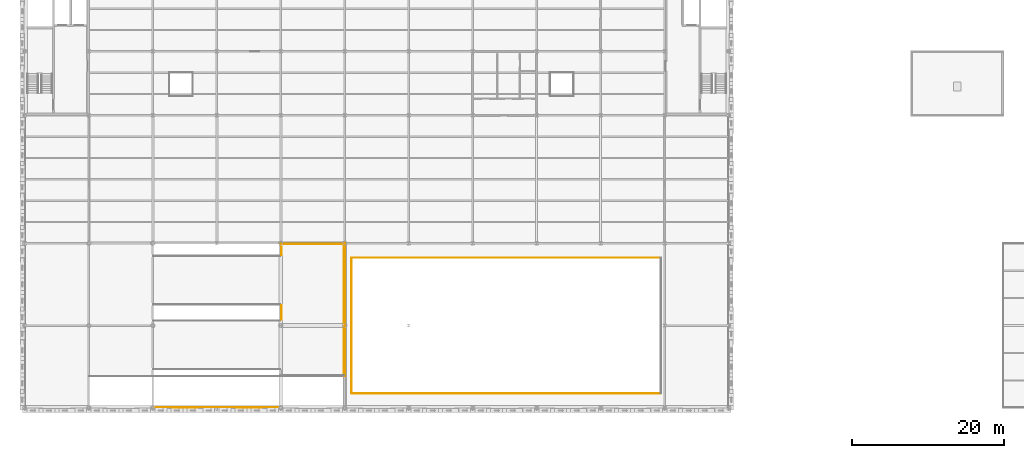
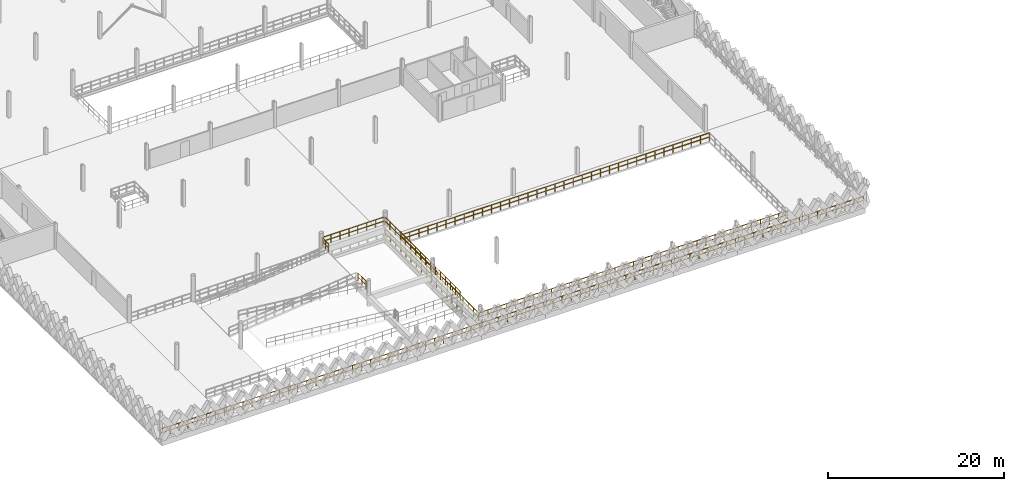
# One storey, part 55 of 62: 9 railings.
"""IFC4 building model written with IfcOpenShell, lengths in metres."""

import ifcopenshell
import ifcopenshell.guid

model = None  # the IFC model being written
_history = None  # IfcOwnerHistory: only IFC2X3 demands one
_inside = {}  # id of a spatial element -> (the spatial element, [elements in it])
_under = {}  # id of a project, library or spatial element -> (it, [spatial elements below it])
_declared = {}  # id of a project -> (the project, [libraries it declares])
_typed = {}  # id of a type object -> (the type object, [elements of that type])
_made_of = {}  # id of a material, layer set ... -> (it, [elements and type objects made of it])


def new_model(schema):
    """Start an empty IFC model of exactly this schema.

    Asked for "IFC4X3", IfcOpenShell would pick the latest addendum, in which some entities
    have other attributes; the version numbers below select the first issue.
    IFC2X3 requires an IfcOwnerHistory on every rooted entity: one is made here for all.
    """
    global model, _history
    if schema == "IFC4X3":
        model = ifcopenshell.file(schema_version=(4, 3, 0, 0))
    else:
        model = ifcopenshell.file(schema=schema)
    _inside.clear()
    _under.clear()
    _declared.clear()
    _typed.clear()
    _made_of.clear()
    _history = None
    if model.schema == "IFC2X3":
        org = make("IfcOrganization", Name="unknown")
        user = make(
            "IfcPersonAndOrganization",
            ThePerson=make("IfcPerson", FamilyName="unknown"),
            TheOrganization=org,
        )
        app = make(
            "IfcApplication",
            ApplicationDeveloper=org,
            Version="unknown",
            ApplicationFullName="unknown",
            ApplicationIdentifier="unknown",
        )
        _history = make(
            "IfcOwnerHistory",
            OwningUser=user,
            OwningApplication=app,
            ChangeAction="ADDED",
            CreationDate=0,
        )
    return model


def make(cls, **values):
    """One entity of the class cls with the attributes given. An attribute that is None is left unset."""
    return model.create_entity(
        cls, **{name: value for name, value in values.items() if value is not None}
    )


def rooted(cls, **values):
    """An entity with a GlobalId (a new one), such as an element, a storey or a relation."""
    return make(cls, GlobalId=ifcopenshell.guid.new(), OwnerHistory=_history, **values)


def si_unit(unit_type, name, prefix=None):
    """IfcSIUnit, for example si_unit("LENGTHUNIT", "METRE", prefix="MILLI")."""
    return make("IfcSIUnit", UnitType=unit_type, Prefix=prefix, Name=name)


def assignment(units):
    """IfcUnitAssignment: the units of a project."""
    return None if units is None else make("IfcUnitAssignment", Units=units)


def point(xyz):
    """IfcCartesianPoint."""
    return None if xyz is None else make("IfcCartesianPoint", Coordinates=xyz)


def direction(xyz):
    """IfcDirection."""
    return None if xyz is None else make("IfcDirection", DirectionRatios=xyz)


def frame(location, z_axis=None, x_axis=None):
    """IfcAxis2Placement3D, a coordinate frame: its origin and axes. An axis left out is left unset."""
    return make(
        "IfcAxis2Placement3D",
        Location=point(location),
        Axis=direction(z_axis),
        RefDirection=direction(x_axis),
    )


def frame_2d(location, x_axis=None):
    """IfcAxis2Placement2D, a coordinate frame in the plane: its origin and x axis."""
    return make(
        "IfcAxis2Placement2D", Location=point(location), RefDirection=direction(x_axis)
    )


def origin():
    """The frame at (0, 0, 0) with its axes left unset."""
    return frame((0.0, 0.0, 0.0))


def origin_2d():
    """The frame at (0, 0) in the plane with its x axis left unset."""
    return frame_2d((0.0, 0.0))


def place(relative_to, where):
    """IfcLocalPlacement: puts the frame where relative to a parent placement (None: the world)."""
    return make(
        "IfcLocalPlacement", PlacementRelTo=relative_to, RelativePlacement=where
    )


def context(
    kind, dimensions, precision=None, world=None, true_north=None, identifier=None
):
    """IfcGeometricRepresentationContext, for example the 3D "Model" context."""
    return make(
        "IfcGeometricRepresentationContext",
        ContextIdentifier=identifier,
        ContextType=kind,
        CoordinateSpaceDimension=dimensions,
        Precision=precision,
        WorldCoordinateSystem=world,
        TrueNorth=true_north,
    )


def subcontext(parent, identifier, kind, view, scale=None):
    """IfcGeometricRepresentationSubContext, for example "Body" below "Model"."""
    return make(
        "IfcGeometricRepresentationSubContext",
        ContextIdentifier=identifier,
        ContextType=kind,
        ParentContext=parent,
        TargetScale=scale,
        TargetView=view,
    )


def project(units=None, contexts=None):
    """IfcProject with its units and contexts."""
    return rooted(
        "IfcProject",
        Name="project",
        RepresentationContexts=contexts,
        UnitsInContext=assignment(units),
    )


def spatial(cls, under=None, at=None, **own):
    """A site, building, storey or space (cls), placed at a placement, below another one or the project."""
    s = rooted(cls, ObjectPlacement=at, **own)
    if under is not None:
        _under.setdefault(under.id(), (under, []))[1].append(s)
    return s


def profile(cls, at=None, kind="AREA", **sizes):
    """A parametric profile (cls). Its sizes go by their IFC names, for example OverallWidth=200.0."""
    return make(cls, ProfileType=kind, Position=at, **sizes)


def circle(**sizes):
    """IfcCircleProfileDef."""
    return profile("IfcCircleProfileDef", **sizes)


def extrude(swept, where, along, depth):
    """IfcExtrudedAreaSolid: the profile swept, set in the frame where, extruded along a direction by depth."""
    return make(
        "IfcExtrudedAreaSolid",
        SweptArea=swept,
        Position=where,
        ExtrudedDirection=direction(along),
        Depth=depth,
    )


def shape(context_of_items, identifier, shape_type, items):
    """IfcShapeRepresentation: the items that make up one representation, for example the "Body"."""
    return make(
        "IfcShapeRepresentation",
        ContextOfItems=context_of_items,
        RepresentationIdentifier=identifier,
        RepresentationType=shape_type,
        Items=items,
    )


def material(Name=None, Category=None):
    """IfcMaterial."""
    return make("IfcMaterial", Name=Name, Category=Category)


def made_of(thing, what):
    """Note that an element or type object is made of a material, layer set ...; save() writes the relation."""
    if what is not None:
        _made_of.setdefault(what.id(), (what, []))[1].append(thing)
    return thing


def type_object(cls, material=None, **own):
    """A type object (cls), such as IfcWallType, which elements share."""
    return made_of(rooted(cls, **own), material)


def element(
    cls,
    number,
    at=None,
    inside=None,
    cuts=None,
    type_object=None,
    material=None,
    context=None,
    identifier="Body",
    shape_type=None,
    held_by="IfcProductDefinitionShape",
    body=None,
    shapes=None,
    **own,
):
    """One element of the class cls, such as IfcWall. Its Tag is "e" and its number.

    at: its placement. inside: the storey or other place that contains it. cuts: it is an
    opening in that element (IfcRelVoidsElement). A single representation is given by context,
    identifier, shape_type and body (its items); several are given by shapes. held_by: the class
    of the entity that holds the representations. save() writes the other relations.
    """
    e = rooted(cls, Tag="e%d" % number, ObjectPlacement=at, **own)
    if body is not None:
        shapes = [shape(context, identifier, shape_type, body)]
    if shapes is not None:
        e.Representation = make(held_by, Representations=shapes)
    if inside is not None:
        _inside.setdefault(inside.id(), (inside, []))[1].append(e)
    if cuts is not None:
        rooted(
            "IfcRelVoidsElement", RelatingBuildingElement=cuts, RelatedOpeningElement=e
        )
    if type_object is not None:
        _typed.setdefault(type_object.id(), (type_object, []))[1].append(e)
    return made_of(e, material)


def aggregate(whole, parts):
    """IfcRelAggregates: a whole, such as a stair, and the parts it consists of."""
    return rooted("IfcRelAggregates", RelatingObject=whole, RelatedObjects=parts)


def save(model, path):
    """Write the relations noted so far, then the file.

    IfcRelAggregates (storeys below a building ...), IfcRelContainedInSpatialStructure (elements
    in a storey), IfcRelDefinesByType, IfcRelAssociatesMaterial and IfcRelDeclares: one each for
    every whole, place, type object, material and project.
    """
    for whole, parts in _under.values():
        aggregate(whole, parts)
    for where, things in _inside.values():
        rooted(
            "IfcRelContainedInSpatialStructure",
            RelatedElements=things,
            RelatingStructure=where,
        )
    for kind, things in _typed.values():
        rooted("IfcRelDefinesByType", RelatedObjects=things, RelatingType=kind)
    for what, things in _made_of.values():
        rooted("IfcRelAssociatesMaterial", RelatedObjects=things, RelatingMaterial=what)
    for by, libraries in _declared.values():
        rooted("IfcRelDeclares", RelatingContext=by, RelatedDefinitions=libraries)
    model.write(path)


model = new_model("IFC4")

# Units and contexts
model_context = context("Model", 3, precision=1e-05, world=origin(), true_north=direction((0.0, 1.0)))
body_context = subcontext(model_context, "Body", "Model", "MODEL_VIEW")
ifc_project = project(units=[si_unit("LENGTHUNIT", "METRE"), si_unit("AREAUNIT", "SQUARE_METRE"), si_unit("VOLUMEUNIT", "CUBIC_METRE"), si_unit("PLANEANGLEUNIT", "RADIAN"), si_unit("MASSUNIT", "GRAM", prefix="KILO"), si_unit("THERMODYNAMICTEMPERATUREUNIT", "KELVIN"), si_unit("POWERUNIT", "WATT")], contexts=[model_context])

# Site, building, storey
site_placement = place(None, origin())
site = spatial("IfcSite", under=ifc_project, at=site_placement, CompositionType="ELEMENT")
building_placement = place(site_placement, origin())
building = spatial("IfcBuilding", under=site, at=building_placement, Name="Tembeka Court Mobility Hub", CompositionType="ELEMENT")
storey_placement = place(building_placement, frame((0.0, 0.0, 16.199951171875)))
storey = spatial("IfcBuildingStorey", under=building, at=storey_placement, Name="L04", CompositionType="ELEMENT", Elevation=16.199951171875)

# Railings
ifc_material = material(Name="Painted galvanised steel balustrade", Category="steel")
railing_type_1 = type_object("IfcRailingType", Name="RL-GR01", PredefinedType="GUARDRAIL", material=ifc_material)
railing_1_placement = place(storey_placement, frame((42.929931640625, 1.89990234375, 0.0)))
element("IfcRailing", 1, at=railing_1_placement, inside=storey, type_object=railing_type_1, Name="Perimeter guard GR01-0139", PredefinedType="GUARDRAIL", context=body_context, shape_type="SweptSolid", body=[
    extrude(circle(Radius=0.02392578125, at=origin_2d()), frame((0.0, 0.0, 1.09619140625), z_axis=(1.0, 0.0, 0.0), x_axis=(0.0, 1.0, 0.0)), (0.0, 0.0, 1.0), 40.5400390625),
    extrude(circle(Radius=0.02392578125, at=origin_2d()), frame((0.0, 0.0, 0.5361328125), z_axis=(1.0, 0.0, 0.0), x_axis=(0.0, 1.0, 0.0)), (0.0, 0.0, 1.0), 40.5400390625),
    extrude(circle(Radius=0.02099609375, at=origin_2d()), origin(), (0.0, 0.0, 1.0), 1.072021484375),
    extrude(circle(Radius=0.02099609375, at=origin_2d()), frame((1.1923828125, 0.0, 0.0)), (0.0, 0.0, 1.0), 1.072021484375),
    extrude(circle(Radius=0.02099609375, at=origin_2d()), frame((2.384765625, 0.0, 0.0)), (0.0, 0.0, 1.0), 1.072021484375),
    extrude(circle(Radius=0.02099609375, at=origin_2d()), frame((3.5771484375, 0.0, 0.0)), (0.0, 0.0, 1.0), 1.072021484375),
    extrude(circle(Radius=0.02099609375, at=origin_2d()), frame((4.76953125, 0.0, 0.0)), (0.0, 0.0, 1.0), 1.072021484375),
    extrude(circle(Radius=0.02099609375, at=origin_2d()), frame((5.961669921875, 0.0, 0.0)), (0.0, 0.0, 1.0), 1.072021484375),
    extrude(circle(Radius=0.02099609375, at=origin_2d()), frame((7.154052734375, 0.0, 0.0)), (0.0, 0.0, 1.0), 1.072021484375),
    extrude(circle(Radius=0.02099609375, at=origin_2d()), frame((8.346435546875, 0.0, 0.0)), (0.0, 0.0, 1.0), 1.072021484375),
    extrude(circle(Radius=0.02099609375, at=origin_2d()), frame((9.538818359375, 0.0, 0.0)), (0.0, 0.0, 1.0), 1.072021484375),
    extrude(circle(Radius=0.02099609375, at=origin_2d()), frame((10.731201171875, 0.0, 0.0)), (0.0, 0.0, 1.0), 1.072021484375),
    extrude(circle(Radius=0.02099609375, at=origin_2d()), frame((11.923583984375, 0.0, 0.0)), (0.0, 0.0, 1.0), 1.072021484375),
    extrude(circle(Radius=0.02099609375, at=origin_2d()), frame((13.115966796875, 0.0, 0.0)), (0.0, 0.0, 1.0), 1.072021484375),
    extrude(circle(Radius=0.02099609375, at=origin_2d()), frame((14.308349609375, 0.0, 0.0)), (0.0, 0.0, 1.0), 1.072021484375),
    extrude(circle(Radius=0.02099609375, at=origin_2d()), frame((15.50048828125, 0.0, 0.0)), (0.0, 0.0, 1.0), 1.072021484375),
    extrude(circle(Radius=0.02099609375, at=origin_2d()), frame((16.69287109375, 0.0, 0.0)), (0.0, 0.0, 1.0), 1.072021484375),
    extrude(circle(Radius=0.02099609375, at=origin_2d()), frame((17.88525390625, 0.0, 0.0)), (0.0, 0.0, 1.0), 1.072021484375),
    extrude(circle(Radius=0.02099609375, at=origin_2d()), frame((19.07763671875, 0.0, 0.0)), (0.0, 0.0, 1.0), 1.072021484375),
    extrude(circle(Radius=0.02099609375, at=origin_2d()), frame((20.27001953125, 0.0, 0.0)), (0.0, 0.0, 1.0), 1.072021484375),
    extrude(circle(Radius=0.02099609375, at=origin_2d()), frame((21.46240234375, 0.0, 0.0)), (0.0, 0.0, 1.0), 1.072021484375),
    extrude(circle(Radius=0.02099609375, at=origin_2d()), frame((22.65478515625, 0.0, 0.0)), (0.0, 0.0, 1.0), 1.072021484375),
    extrude(circle(Radius=0.02099609375, at=origin_2d()), frame((23.84716796875, 0.0, 0.0)), (0.0, 0.0, 1.0), 1.072021484375),
    extrude(circle(Radius=0.02099609375, at=origin_2d()), frame((25.03955078125, 0.0, 0.0)), (0.0, 0.0, 1.0), 1.072021484375),
    extrude(circle(Radius=0.02099609375, at=origin_2d()), frame((26.231689453125, 0.0, 0.0)), (0.0, 0.0, 1.0), 1.072021484375),
    extrude(circle(Radius=0.02099609375, at=origin_2d()), frame((27.424072265625, 0.0, 0.0)), (0.0, 0.0, 1.0), 1.072021484375),
    extrude(circle(Radius=0.02099609375, at=origin_2d()), frame((28.616455078125, 0.0, 0.0)), (0.0, 0.0, 1.0), 1.072021484375),
    extrude(circle(Radius=0.02099609375, at=origin_2d()), frame((29.808837890625, 0.0, 0.0)), (0.0, 0.0, 1.0), 1.072021484375),
    extrude(circle(Radius=0.02099609375, at=origin_2d()), frame((31.001220703125, 0.0, 0.0)), (0.0, 0.0, 1.0), 1.072021484375),
    extrude(circle(Radius=0.02099609375, at=origin_2d()), frame((32.193603515625, 0.0, 0.0)), (0.0, 0.0, 1.0), 1.072021484375),
    extrude(circle(Radius=0.02099609375, at=origin_2d()), frame((33.385986328125, 0.0, 0.0)), (0.0, 0.0, 1.0), 1.072021484375),
    extrude(circle(Radius=0.02099609375, at=origin_2d()), frame((34.578369140625, 0.0, 0.0)), (0.0, 0.0, 1.0), 1.072021484375),
    extrude(circle(Radius=0.02099609375, at=origin_2d()), frame((35.7705078125, 0.0, 0.0)), (0.0, 0.0, 1.0), 1.072021484375),
    extrude(circle(Radius=0.02099609375, at=origin_2d()), frame((36.962890625, 0.0, 0.0)), (0.0, 0.0, 1.0), 1.072021484375),
    extrude(circle(Radius=0.02099609375, at=origin_2d()), frame((38.1552734375, 0.0, 0.0)), (0.0, 0.0, 1.0), 1.072021484375),
    extrude(circle(Radius=0.02099609375, at=origin_2d()), frame((39.34765625, 0.0, 0.0)), (0.0, 0.0, 1.0), 1.072021484375),
    extrude(circle(Radius=0.02099609375, at=origin_2d()), frame((40.5400390625, 0.0, 0.0)), (0.0, 0.0, 1.0), 1.072021484375),
])
railing_2_placement = place(storey_placement, frame((83.469970703125, 19.699951171875, 0.0)))
element("IfcRailing", 2, at=railing_2_placement, inside=storey, type_object=railing_type_1, Name="Perimeter guard GR01-0141", PredefinedType="GUARDRAIL", context=body_context, shape_type="SweptSolid", body=[
    extrude(circle(Radius=0.02392578125, at=origin_2d()), frame((0.0, 0.0, 1.09619140625), z_axis=(-1.0, 0.0, 0.0), x_axis=(0.0, -1.0, 0.0)), (0.0, 0.0, 1.0), 40.5400390625),
    extrude(circle(Radius=0.02392578125, at=origin_2d()), frame((0.0, 0.0, 0.5361328125), z_axis=(-1.0, 0.0, 0.0), x_axis=(0.0, -1.0, 0.0)), (0.0, 0.0, 1.0), 40.5400390625),
    extrude(circle(Radius=0.02099609375, at=origin_2d()), origin(), (0.0, 0.0, 1.0), 1.072021484375),
    extrude(circle(Radius=0.02099609375, at=origin_2d()), frame((-1.1923828125, 0.0, 0.0)), (0.0, 0.0, 1.0), 1.072021484375),
    extrude(circle(Radius=0.02099609375, at=origin_2d()), frame((-2.384765625, 0.0, 0.0)), (0.0, 0.0, 1.0), 1.072021484375),
    extrude(circle(Radius=0.02099609375, at=origin_2d()), frame((-3.5771484375, 0.0, 0.0)), (0.0, 0.0, 1.0), 1.072021484375),
    extrude(circle(Radius=0.02099609375, at=origin_2d()), frame((-4.76953125, 0.0, 0.0)), (0.0, 0.0, 1.0), 1.072021484375),
    extrude(circle(Radius=0.02099609375, at=origin_2d()), frame((-5.961669921875, 0.0, 0.0)), (0.0, 0.0, 1.0), 1.072021484375),
    extrude(circle(Radius=0.02099609375, at=origin_2d()), frame((-7.154052734375, 0.0, 0.0)), (0.0, 0.0, 1.0), 1.072021484375),
    extrude(circle(Radius=0.02099609375, at=origin_2d()), frame((-8.346435546875, 0.0, 0.0)), (0.0, 0.0, 1.0), 1.072021484375),
    extrude(circle(Radius=0.02099609375, at=origin_2d()), frame((-9.538818359375, 0.0, 0.0)), (0.0, 0.0, 1.0), 1.072021484375),
    extrude(circle(Radius=0.02099609375, at=origin_2d()), frame((-10.731201171875, 0.0, 0.0)), (0.0, 0.0, 1.0), 1.072021484375),
    extrude(circle(Radius=0.02099609375, at=origin_2d()), frame((-11.923583984375, 0.0, 0.0)), (0.0, 0.0, 1.0), 1.072021484375),
    extrude(circle(Radius=0.02099609375, at=origin_2d()), frame((-13.115966796875, 0.0, 0.0)), (0.0, 0.0, 1.0), 1.072021484375),
    extrude(circle(Radius=0.02099609375, at=origin_2d()), frame((-14.308349609375, 0.0, 0.0)), (0.0, 0.0, 1.0), 1.072021484375),
    extrude(circle(Radius=0.02099609375, at=origin_2d()), frame((-15.50048828125, 0.0, 0.0)), (0.0, 0.0, 1.0), 1.072021484375),
    extrude(circle(Radius=0.02099609375, at=origin_2d()), frame((-16.69287109375, 0.0, 0.0)), (0.0, 0.0, 1.0), 1.072021484375),
    extrude(circle(Radius=0.02099609375, at=origin_2d()), frame((-17.88525390625, 0.0, 0.0)), (0.0, 0.0, 1.0), 1.072021484375),
    extrude(circle(Radius=0.02099609375, at=origin_2d()), frame((-19.07763671875, 0.0, 0.0)), (0.0, 0.0, 1.0), 1.072021484375),
    extrude(circle(Radius=0.02099609375, at=origin_2d()), frame((-20.27001953125, 0.0, 0.0)), (0.0, 0.0, 1.0), 1.072021484375),
    extrude(circle(Radius=0.02099609375, at=origin_2d()), frame((-21.46240234375, 0.0, 0.0)), (0.0, 0.0, 1.0), 1.072021484375),
    extrude(circle(Radius=0.02099609375, at=origin_2d()), frame((-22.65478515625, 0.0, 0.0)), (0.0, 0.0, 1.0), 1.072021484375),
    extrude(circle(Radius=0.02099609375, at=origin_2d()), frame((-23.84716796875, 0.0, 0.0)), (0.0, 0.0, 1.0), 1.072021484375),
    extrude(circle(Radius=0.02099609375, at=origin_2d()), frame((-25.03955078125, 0.0, 0.0)), (0.0, 0.0, 1.0), 1.072021484375),
    extrude(circle(Radius=0.02099609375, at=origin_2d()), frame((-26.231689453125, 0.0, 0.0)), (0.0, 0.0, 1.0), 1.072021484375),
    extrude(circle(Radius=0.02099609375, at=origin_2d()), frame((-27.424072265625, 0.0, 0.0)), (0.0, 0.0, 1.0), 1.072021484375),
    extrude(circle(Radius=0.02099609375, at=origin_2d()), frame((-28.616455078125, 0.0, 0.0)), (0.0, 0.0, 1.0), 1.072021484375),
    extrude(circle(Radius=0.02099609375, at=origin_2d()), frame((-29.808837890625, 0.0, 0.0)), (0.0, 0.0, 1.0), 1.072021484375),
    extrude(circle(Radius=0.02099609375, at=origin_2d()), frame((-31.001220703125, 0.0, 0.0)), (0.0, 0.0, 1.0), 1.072021484375),
    extrude(circle(Radius=0.02099609375, at=origin_2d()), frame((-32.193603515625, 0.0, 0.0)), (0.0, 0.0, 1.0), 1.072021484375),
    extrude(circle(Radius=0.02099609375, at=origin_2d()), frame((-33.385986328125, 0.0, 0.0)), (0.0, 0.0, 1.0), 1.072021484375),
    extrude(circle(Radius=0.02099609375, at=origin_2d()), frame((-34.578369140625, 0.0, 0.0)), (0.0, 0.0, 1.0), 1.072021484375),
    extrude(circle(Radius=0.02099609375, at=origin_2d()), frame((-35.7705078125, 0.0, 0.0)), (0.0, 0.0, 1.0), 1.072021484375),
    extrude(circle(Radius=0.02099609375, at=origin_2d()), frame((-36.962890625, 0.0, 0.0)), (0.0, 0.0, 1.0), 1.072021484375),
    extrude(circle(Radius=0.02099609375, at=origin_2d()), frame((-38.1552734375, 0.0, 0.0)), (0.0, 0.0, 1.0), 1.072021484375),
    extrude(circle(Radius=0.02099609375, at=origin_2d()), frame((-39.34765625, 0.0, 0.0)), (0.0, 0.0, 1.0), 1.072021484375),
    extrude(circle(Radius=0.02099609375, at=origin_2d()), frame((-40.5400390625, 0.0, 0.0)), (0.0, 0.0, 1.0), 1.072021484375),
])
railing_3_placement = place(storey_placement, frame((42.89990234375, 19.669921875, 0.0)))
element("IfcRailing", 3, at=railing_3_placement, inside=storey, type_object=railing_type_1, Name="Perimeter guard GR01-0142", PredefinedType="GUARDRAIL", context=body_context, shape_type="SweptSolid", body=[
    extrude(circle(Radius=0.02392578125, at=origin_2d()), frame((0.0, 0.0, 1.09619140625), z_axis=(0.0, -1.0, 0.0), x_axis=(1.0, 0.0, 0.0)), (0.0, 0.0, 1.0), 17.739990234375),
    extrude(circle(Radius=0.02392578125, at=origin_2d()), frame((0.0, 0.0, 0.5361328125), z_axis=(0.0, -1.0, 0.0), x_axis=(1.0, 0.0, 0.0)), (0.0, 0.0, 1.0), 17.739990234375),
    extrude(circle(Radius=0.02099609375, at=origin_2d()), origin(), (0.0, 0.0, 1.0), 1.072021484375),
    extrude(circle(Radius=0.02099609375, at=origin_2d()), frame((0.0, -1.1826171875, 0.0)), (0.0, 0.0, 1.0), 1.072021484375),
    extrude(circle(Radius=0.02099609375, at=origin_2d()), frame((0.0, -2.365234375, 0.0)), (0.0, 0.0, 1.0), 1.072021484375),
    extrude(circle(Radius=0.02099609375, at=origin_2d()), frame((0.0, -3.548095703125, 0.0)), (0.0, 0.0, 1.0), 1.072021484375),
    extrude(circle(Radius=0.02099609375, at=origin_2d()), frame((0.0, -4.730712890625, 0.0)), (0.0, 0.0, 1.0), 1.072021484375),
    extrude(circle(Radius=0.02099609375, at=origin_2d()), frame((0.0, -5.913330078125, 0.0)), (0.0, 0.0, 1.0), 1.072021484375),
    extrude(circle(Radius=0.02099609375, at=origin_2d()), frame((0.0, -7.095947265625, 0.0)), (0.0, 0.0, 1.0), 1.072021484375),
    extrude(circle(Radius=0.02099609375, at=origin_2d()), frame((0.0, -8.278564453125, 0.0)), (0.0, 0.0, 1.0), 1.072021484375),
    extrude(circle(Radius=0.02099609375, at=origin_2d()), frame((0.0, -9.46142578125, 0.0)), (0.0, 0.0, 1.0), 1.072021484375),
    extrude(circle(Radius=0.02099609375, at=origin_2d()), frame((0.0, -10.64404296875, 0.0)), (0.0, 0.0, 1.0), 1.072021484375),
    extrude(circle(Radius=0.02099609375, at=origin_2d()), frame((0.0, -11.82666015625, 0.0)), (0.0, 0.0, 1.0), 1.072021484375),
    extrude(circle(Radius=0.02099609375, at=origin_2d()), frame((0.0, -13.00927734375, 0.0)), (0.0, 0.0, 1.0), 1.072021484375),
    extrude(circle(Radius=0.02099609375, at=origin_2d()), frame((0.0, -14.19189453125, 0.0)), (0.0, 0.0, 1.0), 1.072021484375),
    extrude(circle(Radius=0.02099609375, at=origin_2d()), frame((0.0, -15.374755859375, 0.0)), (0.0, 0.0, 1.0), 1.072021484375),
    extrude(circle(Radius=0.02099609375, at=origin_2d()), frame((0.0, -16.557373046875, 0.0)), (0.0, 0.0, 1.0), 1.072021484375),
    extrude(circle(Radius=0.02099609375, at=origin_2d()), frame((0.0, -17.739990234375, 0.0)), (0.0, 0.0, 1.0), 1.072021484375),
])
railing_type_2 = type_object("IfcRailingType", Name="RL-GR02", PredefinedType="GUARDRAIL", material=ifc_material)
railing_4_placement = place(storey_placement, frame((0.080078125, 0.050048828125, 0.0)))
element("IfcRailing", 4, at=railing_4_placement, inside=storey, type_object=railing_type_2, Name="Perimeter guard GR02-0147", PredefinedType="GUARDRAIL", context=body_context, shape_type="SweptSolid", body=[
    extrude(circle(Radius=0.02392578125, at=origin_2d()), frame((0.0, 0.0, 1.09619140625), z_axis=(1.0, 0.0, 0.0), x_axis=(0.0, 1.0, 0.0)), (0.0, 0.0, 1.0), 92.239990234375),
    extrude(circle(Radius=0.02392578125, at=origin_2d()), frame((0.0, 0.0, 0.5361328125), z_axis=(1.0, 0.0, 0.0), x_axis=(0.0, 1.0, 0.0)), (0.0, 0.0, 1.0), 92.239990234375),
    extrude(circle(Radius=0.02099609375, at=origin_2d()), origin(), (0.0, 0.0, 1.0), 1.072021484375),
    extrude(circle(Radius=0.02099609375, at=origin_2d()), frame((1.197998046875, 0.0, 0.0)), (0.0, 0.0, 1.0), 1.072021484375),
    extrude(circle(Radius=0.02099609375, at=origin_2d()), frame((2.395751953125, 0.0, 0.0)), (0.0, 0.0, 1.0), 1.072021484375),
    extrude(circle(Radius=0.02099609375, at=origin_2d()), frame((3.59375, 0.0, 0.0)), (0.0, 0.0, 1.0), 1.072021484375),
    extrude(circle(Radius=0.02099609375, at=origin_2d()), frame((4.791748046875, 0.0, 0.0)), (0.0, 0.0, 1.0), 1.072021484375),
    extrude(circle(Radius=0.02099609375, at=origin_2d()), frame((5.989501953125, 0.0, 0.0)), (0.0, 0.0, 1.0), 1.072021484375),
    extrude(circle(Radius=0.02099609375, at=origin_2d()), frame((7.1875, 0.0, 0.0)), (0.0, 0.0, 1.0), 1.072021484375),
    extrude(circle(Radius=0.02099609375, at=origin_2d()), frame((8.385498046875, 0.0, 0.0)), (0.0, 0.0, 1.0), 1.072021484375),
    extrude(circle(Radius=0.02099609375, at=origin_2d()), frame((9.58349609375, 0.0, 0.0)), (0.0, 0.0, 1.0), 1.072021484375),
    extrude(circle(Radius=0.02099609375, at=origin_2d()), frame((10.78125, 0.0, 0.0)), (0.0, 0.0, 1.0), 1.072021484375),
    extrude(circle(Radius=0.02099609375, at=origin_2d()), frame((11.979248046875, 0.0, 0.0)), (0.0, 0.0, 1.0), 1.072021484375),
    extrude(circle(Radius=0.02099609375, at=origin_2d()), frame((13.17724609375, 0.0, 0.0)), (0.0, 0.0, 1.0), 1.072021484375),
    extrude(circle(Radius=0.02099609375, at=origin_2d()), frame((14.375, 0.0, 0.0)), (0.0, 0.0, 1.0), 1.072021484375),
    extrude(circle(Radius=0.02099609375, at=origin_2d()), frame((15.572998046875, 0.0, 0.0)), (0.0, 0.0, 1.0), 1.072021484375),
    extrude(circle(Radius=0.02099609375, at=origin_2d()), frame((16.77099609375, 0.0, 0.0)), (0.0, 0.0, 1.0), 1.072021484375),
    extrude(circle(Radius=0.02099609375, at=origin_2d()), frame((17.96875, 0.0, 0.0)), (0.0, 0.0, 1.0), 1.072021484375),
    extrude(circle(Radius=0.02099609375, at=origin_2d()), frame((19.166748046875, 0.0, 0.0)), (0.0, 0.0, 1.0), 1.072021484375),
    extrude(circle(Radius=0.02099609375, at=origin_2d()), frame((20.36474609375, 0.0, 0.0)), (0.0, 0.0, 1.0), 1.072021484375),
    extrude(circle(Radius=0.02099609375, at=origin_2d()), frame((21.5625, 0.0, 0.0)), (0.0, 0.0, 1.0), 1.072021484375),
    extrude(circle(Radius=0.02099609375, at=origin_2d()), frame((22.760498046875, 0.0, 0.0)), (0.0, 0.0, 1.0), 1.072021484375),
    extrude(circle(Radius=0.02099609375, at=origin_2d()), frame((23.95849609375, 0.0, 0.0)), (0.0, 0.0, 1.0), 1.072021484375),
    extrude(circle(Radius=0.02099609375, at=origin_2d()), frame((25.15625, 0.0, 0.0)), (0.0, 0.0, 1.0), 1.072021484375),
    extrude(circle(Radius=0.02099609375, at=origin_2d()), frame((26.354248046875, 0.0, 0.0)), (0.0, 0.0, 1.0), 1.072021484375),
    extrude(circle(Radius=0.02099609375, at=origin_2d()), frame((27.55224609375, 0.0, 0.0)), (0.0, 0.0, 1.0), 1.072021484375),
    extrude(circle(Radius=0.02099609375, at=origin_2d()), frame((28.750244140625, 0.0, 0.0)), (0.0, 0.0, 1.0), 1.072021484375),
    extrude(circle(Radius=0.02099609375, at=origin_2d()), frame((29.947998046875, 0.0, 0.0)), (0.0, 0.0, 1.0), 1.072021484375),
    extrude(circle(Radius=0.02099609375, at=origin_2d()), frame((31.14599609375, 0.0, 0.0)), (0.0, 0.0, 1.0), 1.072021484375),
    extrude(circle(Radius=0.02099609375, at=origin_2d()), frame((32.343994140625, 0.0, 0.0)), (0.0, 0.0, 1.0), 1.072021484375),
    extrude(circle(Radius=0.02099609375, at=origin_2d()), frame((33.541748046875, 0.0, 0.0)), (0.0, 0.0, 1.0), 1.072021484375),
    extrude(circle(Radius=0.02099609375, at=origin_2d()), frame((34.73974609375, 0.0, 0.0)), (0.0, 0.0, 1.0), 1.072021484375),
    extrude(circle(Radius=0.02099609375, at=origin_2d()), frame((35.937744140625, 0.0, 0.0)), (0.0, 0.0, 1.0), 1.072021484375),
    extrude(circle(Radius=0.02099609375, at=origin_2d()), frame((37.135498046875, 0.0, 0.0)), (0.0, 0.0, 1.0), 1.072021484375),
    extrude(circle(Radius=0.02099609375, at=origin_2d()), frame((38.33349609375, 0.0, 0.0)), (0.0, 0.0, 1.0), 1.072021484375),
    extrude(circle(Radius=0.02099609375, at=origin_2d()), frame((39.531494140625, 0.0, 0.0)), (0.0, 0.0, 1.0), 1.072021484375),
    extrude(circle(Radius=0.02099609375, at=origin_2d()), frame((40.729248046875, 0.0, 0.0)), (0.0, 0.0, 1.0), 1.072021484375),
    extrude(circle(Radius=0.02099609375, at=origin_2d()), frame((41.92724609375, 0.0, 0.0)), (0.0, 0.0, 1.0), 1.072021484375),
    extrude(circle(Radius=0.02099609375, at=origin_2d()), frame((43.125244140625, 0.0, 0.0)), (0.0, 0.0, 1.0), 1.072021484375),
    extrude(circle(Radius=0.02099609375, at=origin_2d()), frame((44.322998046875, 0.0, 0.0)), (0.0, 0.0, 1.0), 1.072021484375),
    extrude(circle(Radius=0.02099609375, at=origin_2d()), frame((45.52099609375, 0.0, 0.0)), (0.0, 0.0, 1.0), 1.072021484375),
    extrude(circle(Radius=0.02099609375, at=origin_2d()), frame((46.718994140625, 0.0, 0.0)), (0.0, 0.0, 1.0), 1.072021484375),
    extrude(circle(Radius=0.02099609375, at=origin_2d()), frame((47.9169921875, 0.0, 0.0)), (0.0, 0.0, 1.0), 1.072021484375),
    extrude(circle(Radius=0.02099609375, at=origin_2d()), frame((49.11474609375, 0.0, 0.0)), (0.0, 0.0, 1.0), 1.072021484375),
    extrude(circle(Radius=0.02099609375, at=origin_2d()), frame((50.312744140625, 0.0, 0.0)), (0.0, 0.0, 1.0), 1.072021484375),
    extrude(circle(Radius=0.02099609375, at=origin_2d()), frame((51.5107421875, 0.0, 0.0)), (0.0, 0.0, 1.0), 1.072021484375),
    extrude(circle(Radius=0.02099609375, at=origin_2d()), frame((52.70849609375, 0.0, 0.0)), (0.0, 0.0, 1.0), 1.072021484375),
    extrude(circle(Radius=0.02099609375, at=origin_2d()), frame((53.906494140625, 0.0, 0.0)), (0.0, 0.0, 1.0), 1.072021484375),
    extrude(circle(Radius=0.02099609375, at=origin_2d()), frame((55.1044921875, 0.0, 0.0)), (0.0, 0.0, 1.0), 1.072021484375),
    extrude(circle(Radius=0.02099609375, at=origin_2d()), frame((56.30224609375, 0.0, 0.0)), (0.0, 0.0, 1.0), 1.072021484375),
    extrude(circle(Radius=0.02099609375, at=origin_2d()), frame((57.500244140625, 0.0, 0.0)), (0.0, 0.0, 1.0), 1.072021484375),
    extrude(circle(Radius=0.02099609375, at=origin_2d()), frame((58.6982421875, 0.0, 0.0)), (0.0, 0.0, 1.0), 1.072021484375),
    extrude(circle(Radius=0.02099609375, at=origin_2d()), frame((59.89599609375, 0.0, 0.0)), (0.0, 0.0, 1.0), 1.072021484375),
    extrude(circle(Radius=0.02099609375, at=origin_2d()), frame((61.093994140625, 0.0, 0.0)), (0.0, 0.0, 1.0), 1.072021484375),
    extrude(circle(Radius=0.02099609375, at=origin_2d()), frame((62.2919921875, 0.0, 0.0)), (0.0, 0.0, 1.0), 1.072021484375),
    extrude(circle(Radius=0.02099609375, at=origin_2d()), frame((63.48974609375, 0.0, 0.0)), (0.0, 0.0, 1.0), 1.072021484375),
    extrude(circle(Radius=0.02099609375, at=origin_2d()), frame((64.687744140625, 0.0, 0.0)), (0.0, 0.0, 1.0), 1.072021484375),
    extrude(circle(Radius=0.02099609375, at=origin_2d()), frame((65.8857421875, 0.0, 0.0)), (0.0, 0.0, 1.0), 1.072021484375),
    extrude(circle(Radius=0.02099609375, at=origin_2d()), frame((67.083740234375, 0.0, 0.0)), (0.0, 0.0, 1.0), 1.072021484375),
    extrude(circle(Radius=0.02099609375, at=origin_2d()), frame((68.281494140625, 0.0, 0.0)), (0.0, 0.0, 1.0), 1.072021484375),
    extrude(circle(Radius=0.02099609375, at=origin_2d()), frame((69.4794921875, 0.0, 0.0)), (0.0, 0.0, 1.0), 1.072021484375),
    extrude(circle(Radius=0.02099609375, at=origin_2d()), frame((70.677490234375, 0.0, 0.0)), (0.0, 0.0, 1.0), 1.072021484375),
    extrude(circle(Radius=0.02099609375, at=origin_2d()), frame((71.875244140625, 0.0, 0.0)), (0.0, 0.0, 1.0), 1.072021484375),
    extrude(circle(Radius=0.02099609375, at=origin_2d()), frame((73.0732421875, 0.0, 0.0)), (0.0, 0.0, 1.0), 1.072021484375),
    extrude(circle(Radius=0.02099609375, at=origin_2d()), frame((74.271240234375, 0.0, 0.0)), (0.0, 0.0, 1.0), 1.072021484375),
    extrude(circle(Radius=0.02099609375, at=origin_2d()), frame((75.468994140625, 0.0, 0.0)), (0.0, 0.0, 1.0), 1.072021484375),
    extrude(circle(Radius=0.02099609375, at=origin_2d()), frame((76.6669921875, 0.0, 0.0)), (0.0, 0.0, 1.0), 1.072021484375),
    extrude(circle(Radius=0.02099609375, at=origin_2d()), frame((77.864990234375, 0.0, 0.0)), (0.0, 0.0, 1.0), 1.072021484375),
    extrude(circle(Radius=0.02099609375, at=origin_2d()), frame((79.062744140625, 0.0, 0.0)), (0.0, 0.0, 1.0), 1.072021484375),
    extrude(circle(Radius=0.02099609375, at=origin_2d()), frame((80.2607421875, 0.0, 0.0)), (0.0, 0.0, 1.0), 1.072021484375),
    extrude(circle(Radius=0.02099609375, at=origin_2d()), frame((81.458740234375, 0.0, 0.0)), (0.0, 0.0, 1.0), 1.072021484375),
    extrude(circle(Radius=0.02099609375, at=origin_2d()), frame((82.656494140625, 0.0, 0.0)), (0.0, 0.0, 1.0), 1.072021484375),
    extrude(circle(Radius=0.02099609375, at=origin_2d()), frame((83.8544921875, 0.0, 0.0)), (0.0, 0.0, 1.0), 1.072021484375),
    extrude(circle(Radius=0.02099609375, at=origin_2d()), frame((85.052490234375, 0.0, 0.0)), (0.0, 0.0, 1.0), 1.072021484375),
    extrude(circle(Radius=0.02099609375, at=origin_2d()), frame((86.25048828125, 0.0, 0.0)), (0.0, 0.0, 1.0), 1.072021484375),
    extrude(circle(Radius=0.02099609375, at=origin_2d()), frame((87.4482421875, 0.0, 0.0)), (0.0, 0.0, 1.0), 1.072021484375),
    extrude(circle(Radius=0.02099609375, at=origin_2d()), frame((88.646240234375, 0.0, 0.0)), (0.0, 0.0, 1.0), 1.072021484375),
    extrude(circle(Radius=0.02099609375, at=origin_2d()), frame((89.84423828125, 0.0, 0.0)), (0.0, 0.0, 1.0), 1.072021484375),
    extrude(circle(Radius=0.02099609375, at=origin_2d()), frame((91.0419921875, 0.0, 0.0)), (0.0, 0.0, 1.0), 1.072021484375),
    extrude(circle(Radius=0.02099609375, at=origin_2d()), frame((92.239990234375, 0.0, 0.0)), (0.0, 0.0, 1.0), 1.072021484375),
])
railing_5_placement = place(storey_placement, frame((42.050048828125, 4.179931640625, 0.0)))
element("IfcRailing", 5, at=railing_5_placement, inside=storey, type_object=railing_type_2, Name="Perimeter guard GR02-0273", PredefinedType="GUARDRAIL", context=body_context, shape_type="SweptSolid", body=[
    extrude(circle(Radius=0.02392578125, at=origin_2d()), frame((0.0, 0.0, 1.09619140625), z_axis=(0.0, 1.0, 0.0), x_axis=(-1.0, 0.0, 0.0)), (0.0, 0.0, 1.0), 17.440185546875),
    extrude(circle(Radius=0.02392578125, at=origin_2d()), frame((0.0, 0.0, 0.5361328125), z_axis=(0.0, 1.0, 0.0), x_axis=(-1.0, 0.0, 0.0)), (0.0, 0.0, 1.0), 17.440185546875),
    extrude(circle(Radius=0.02099609375, at=origin_2d()), origin(), (0.0, 0.0, 1.0), 1.072021484375),
    extrude(circle(Radius=0.02099609375, at=origin_2d()), frame((0.0, 1.16259765625, 0.0)), (0.0, 0.0, 1.0), 1.072021484375),
    extrude(circle(Radius=0.02099609375, at=origin_2d()), frame((0.0, 2.325439453125, 0.0)), (0.0, 0.0, 1.0), 1.072021484375),
    extrude(circle(Radius=0.02099609375, at=origin_2d()), frame((0.0, 3.488037109375, 0.0)), (0.0, 0.0, 1.0), 1.072021484375),
    extrude(circle(Radius=0.02099609375, at=origin_2d()), frame((0.0, 4.650634765625, 0.0)), (0.0, 0.0, 1.0), 1.072021484375),
    extrude(circle(Radius=0.02099609375, at=origin_2d()), frame((0.0, 5.8134765625, 0.0)), (0.0, 0.0, 1.0), 1.072021484375),
    extrude(circle(Radius=0.02099609375, at=origin_2d()), frame((0.0, 6.97607421875, 0.0)), (0.0, 0.0, 1.0), 1.072021484375),
    extrude(circle(Radius=0.02099609375, at=origin_2d()), frame((0.0, 8.138671875, 0.0)), (0.0, 0.0, 1.0), 1.072021484375),
    extrude(circle(Radius=0.02099609375, at=origin_2d()), frame((0.0, 9.301513671875, 0.0)), (0.0, 0.0, 1.0), 1.072021484375),
    extrude(circle(Radius=0.02099609375, at=origin_2d()), frame((0.0, 10.464111328125, 0.0)), (0.0, 0.0, 1.0), 1.072021484375),
    extrude(circle(Radius=0.02099609375, at=origin_2d()), frame((0.0, 11.626708984375, 0.0)), (0.0, 0.0, 1.0), 1.072021484375),
    extrude(circle(Radius=0.02099609375, at=origin_2d()), frame((0.0, 12.78955078125, 0.0)), (0.0, 0.0, 1.0), 1.072021484375),
    extrude(circle(Radius=0.02099609375, at=origin_2d()), frame((0.0, 13.9521484375, 0.0)), (0.0, 0.0, 1.0), 1.072021484375),
    extrude(circle(Radius=0.02099609375, at=origin_2d()), frame((0.0, 15.11474609375, 0.0)), (0.0, 0.0, 1.0), 1.072021484375),
    extrude(circle(Radius=0.02099609375, at=origin_2d()), frame((0.0, 16.277587890625, 0.0)), (0.0, 0.0, 1.0), 1.072021484375),
    extrude(circle(Radius=0.02099609375, at=origin_2d()), frame((0.0, 17.440185546875, 0.0)), (0.0, 0.0, 1.0), 1.072021484375),
])
railing_6_placement = place(storey_placement, frame((41.919921875, 4.31005859375, 1.800048828125)))
element("IfcRailing", 6, at=railing_6_placement, inside=storey, type_object=railing_type_2, Name="Perimeter guard GR02-0332", PredefinedType="GUARDRAIL", context=body_context, shape_type="SweptSolid", body=[
    extrude(circle(Radius=0.02392578125, at=origin_2d()), frame((0.0, 0.0, 1.09619140625), z_axis=(0.0, 1.0, 0.0), x_axis=(-1.0, 0.0, 0.0)), (0.0, 0.0, 1.0), 17.179931640625),
    extrude(circle(Radius=0.02392578125, at=origin_2d()), frame((0.0, 0.0, 0.5361328125), z_axis=(0.0, 1.0, 0.0), x_axis=(-1.0, 0.0, 0.0)), (0.0, 0.0, 1.0), 17.179931640625),
    extrude(circle(Radius=0.02099609375, at=origin_2d()), origin(), (0.0, 0.0, 1.0), 1.072021484375),
    extrude(circle(Radius=0.02099609375, at=origin_2d()), frame((0.0, 1.145263671875, 0.0)), (0.0, 0.0, 1.0), 1.072021484375),
    extrude(circle(Radius=0.02099609375, at=origin_2d()), frame((0.0, 2.290771484375, 0.0)), (0.0, 0.0, 1.0), 1.072021484375),
    extrude(circle(Radius=0.02099609375, at=origin_2d()), frame((0.0, 3.43603515625, 0.0)), (0.0, 0.0, 1.0), 1.072021484375),
    extrude(circle(Radius=0.02099609375, at=origin_2d()), frame((0.0, 4.581298828125, 0.0)), (0.0, 0.0, 1.0), 1.072021484375),
    extrude(circle(Radius=0.02099609375, at=origin_2d()), frame((0.0, 5.7265625, 0.0)), (0.0, 0.0, 1.0), 1.072021484375),
    extrude(circle(Radius=0.02099609375, at=origin_2d()), frame((0.0, 6.8720703125, 0.0)), (0.0, 0.0, 1.0), 1.072021484375),
    extrude(circle(Radius=0.02099609375, at=origin_2d()), frame((0.0, 8.017333984375, 0.0)), (0.0, 0.0, 1.0), 1.072021484375),
    extrude(circle(Radius=0.02099609375, at=origin_2d()), frame((0.0, 9.16259765625, 0.0)), (0.0, 0.0, 1.0), 1.072021484375),
    extrude(circle(Radius=0.02099609375, at=origin_2d()), frame((0.0, 10.307861328125, 0.0)), (0.0, 0.0, 1.0), 1.072021484375),
    extrude(circle(Radius=0.02099609375, at=origin_2d()), frame((0.0, 11.453369140625, 0.0)), (0.0, 0.0, 1.0), 1.072021484375),
    extrude(circle(Radius=0.02099609375, at=origin_2d()), frame((0.0, 12.5986328125, 0.0)), (0.0, 0.0, 1.0), 1.072021484375),
    extrude(circle(Radius=0.02099609375, at=origin_2d()), frame((0.0, 13.743896484375, 0.0)), (0.0, 0.0, 1.0), 1.072021484375),
    extrude(circle(Radius=0.02099609375, at=origin_2d()), frame((0.0, 14.88916015625, 0.0)), (0.0, 0.0, 1.0), 1.072021484375),
    extrude(circle(Radius=0.02099609375, at=origin_2d()), frame((0.0, 16.03466796875, 0.0)), (0.0, 0.0, 1.0), 1.072021484375),
    extrude(circle(Radius=0.02099609375, at=origin_2d()), frame((0.0, 17.179931640625, 0.0)), (0.0, 0.0, 1.0), 1.072021484375),
])
railing_7_placement = place(storey_placement, frame((41.889892578125, 21.52001953125, 1.800048828125)))
element("IfcRailing", 7, at=railing_7_placement, inside=storey, type_object=railing_type_2, Name="Perimeter guard GR02-0333", PredefinedType="GUARDRAIL", context=body_context, shape_type="SweptSolid", body=[
    extrude(circle(Radius=0.02392578125, at=origin_2d()), frame((0.0, 0.0, 1.09619140625), z_axis=(-1.0, 0.0, 0.0), x_axis=(0.0, -1.0, 0.0)), (0.0, 0.0, 1.0), 8.260009765625),
    extrude(circle(Radius=0.02392578125, at=origin_2d()), frame((0.0, 0.0, 0.5361328125), z_axis=(-1.0, 0.0, 0.0), x_axis=(0.0, -1.0, 0.0)), (0.0, 0.0, 1.0), 8.260009765625),
    extrude(circle(Radius=0.02099609375, at=origin_2d()), origin(), (0.0, 0.0, 1.0), 1.072021484375),
    extrude(circle(Radius=0.02099609375, at=origin_2d()), frame((-1.179931640625, 0.0, 0.0)), (0.0, 0.0, 1.0), 1.072021484375),
    extrude(circle(Radius=0.02099609375, at=origin_2d()), frame((-2.360107421875, 0.0, 0.0)), (0.0, 0.0, 1.0), 1.072021484375),
    extrude(circle(Radius=0.02099609375, at=origin_2d()), frame((-3.5400390625, 0.0, 0.0)), (0.0, 0.0, 1.0), 1.072021484375),
    extrude(circle(Radius=0.02099609375, at=origin_2d()), frame((-4.719970703125, 0.0, 0.0)), (0.0, 0.0, 1.0), 1.072021484375),
    extrude(circle(Radius=0.02099609375, at=origin_2d()), frame((-5.89990234375, 0.0, 0.0)), (0.0, 0.0, 1.0), 1.072021484375),
    extrude(circle(Radius=0.02099609375, at=origin_2d()), frame((-7.080078125, 0.0, 0.0)), (0.0, 0.0, 1.0), 1.072021484375),
    extrude(circle(Radius=0.02099609375, at=origin_2d()), frame((-8.260009765625, 0.0, 0.0)), (0.0, 0.0, 1.0), 1.072021484375),
])
railing_8_placement = place(storey_placement, frame((33.679931640625, 11.580078125, 1.800048828125)))
element("IfcRailing", 8, at=railing_8_placement, inside=storey, type_object=railing_type_2, Name="Perimeter guard GR02-0335", PredefinedType="GUARDRAIL", context=body_context, shape_type="SweptSolid", body=[
    extrude(circle(Radius=0.02392578125, at=origin_2d()), frame((0.0, 0.0, 1.09619140625), z_axis=(0.0, 1.0, 0.0), x_axis=(-1.0, 0.0, 0.0)), (0.0, 0.0, 1.0), 1.83984375),
    extrude(circle(Radius=0.02392578125, at=origin_2d()), frame((0.0, 0.0, 0.5361328125), z_axis=(0.0, 1.0, 0.0), x_axis=(-1.0, 0.0, 0.0)), (0.0, 0.0, 1.0), 1.83984375),
    extrude(circle(Radius=0.02099609375, at=origin_2d()), origin(), (0.0, 0.0, 1.0), 1.072021484375),
    extrude(circle(Radius=0.02099609375, at=origin_2d()), frame((0.0, 0.919921875, 0.0)), (0.0, 0.0, 1.0), 1.072021484375),
    extrude(circle(Radius=0.02099609375, at=origin_2d()), frame((0.0, 1.83984375, 0.0)), (0.0, 0.0, 1.0), 1.072021484375),
])
railing_9_placement = place(storey_placement, frame((33.679931640625, 20.080078125, 1.800048828125)))
element("IfcRailing", 9, at=railing_9_placement, inside=storey, type_object=railing_type_2, Name="Perimeter guard GR02-0336", PredefinedType="GUARDRAIL", context=body_context, shape_type="SweptSolid", body=[
    extrude(circle(Radius=0.02392578125, at=origin_2d()), frame((0.0, 0.0, 1.09619140625), z_axis=(0.0, 1.0, 0.0), x_axis=(-1.0, 0.0, 0.0)), (0.0, 0.0, 1.0), 1.409912109375),
    extrude(circle(Radius=0.02392578125, at=origin_2d()), frame((0.0, 0.0, 0.5361328125), z_axis=(0.0, 1.0, 0.0), x_axis=(-1.0, 0.0, 0.0)), (0.0, 0.0, 1.0), 1.409912109375),
    extrude(circle(Radius=0.02099609375, at=origin_2d()), origin(), (0.0, 0.0, 1.0), 1.072021484375),
    extrude(circle(Radius=0.02099609375, at=origin_2d()), frame((0.0, 0.705078125, 0.0)), (0.0, 0.0, 1.0), 1.072021484375),
    extrude(circle(Radius=0.02099609375, at=origin_2d()), frame((0.0, 1.409912109375, 0.0)), (0.0, 0.0, 1.0), 1.072021484375),
])

save(model, "model.ifc")
